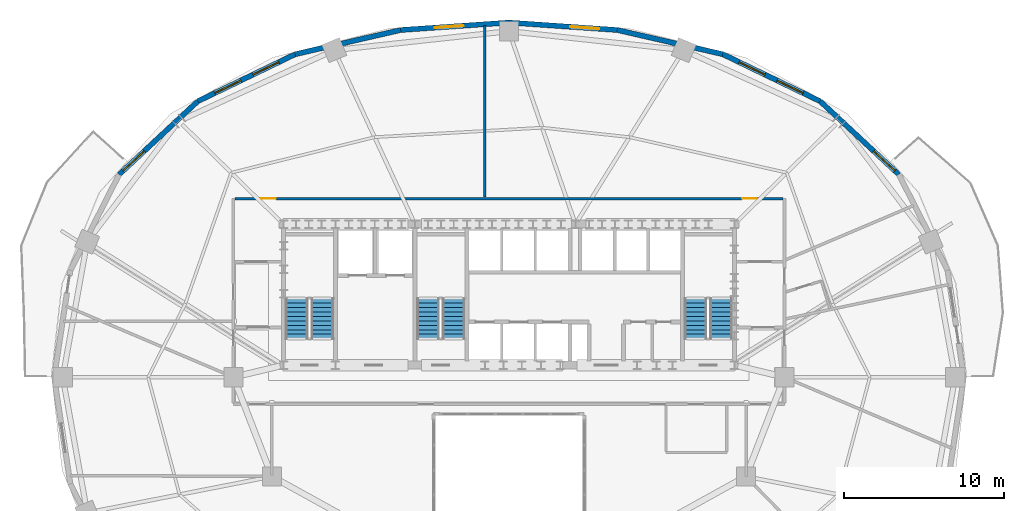
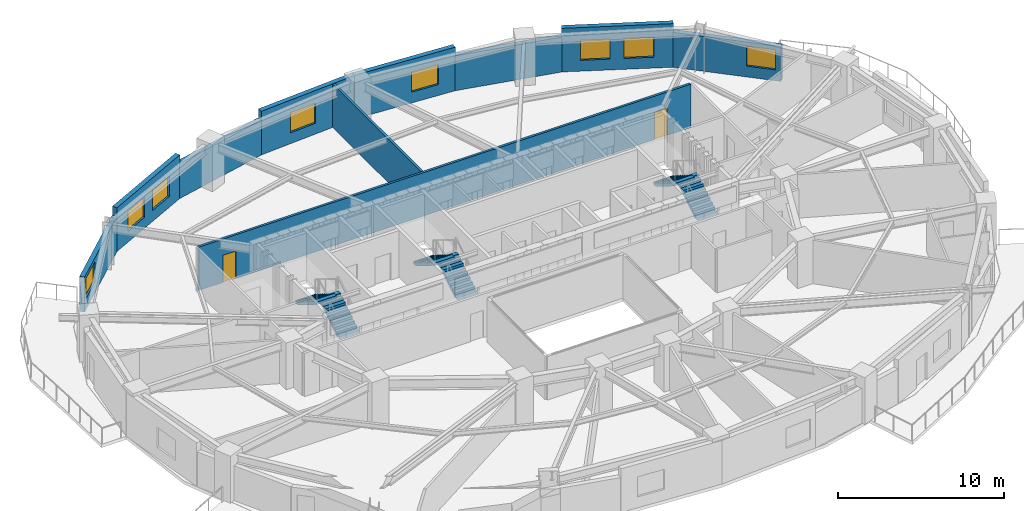
# One storey, part 9 of 12: 10 walls, 8 windows, 6 stair flights, 2 doors, 10 openings, 3 elements without a shape of their own.
"""IFC4 building model written with IfcOpenShell, lengths in metres."""

from ifc_helpers import new_model, si_unit, direction, frame, frame_2d, origin, place, context, subcontext, project, spatial, polyline, rectangle, outline, extrude, material, layer, layer_set, type_object, element, fill, aggregate, save


model = new_model("IFC4")

# Units and contexts
model_context = context("Model", 3, precision=1e-05, world=origin(), true_north=direction((0.0, 1.0)))
body_context = subcontext(model_context, "Body", "Model", "MODEL_VIEW")
ifc_project = project(units=[si_unit("LENGTHUNIT", "METRE"), si_unit("AREAUNIT", "SQUARE_METRE"), si_unit("VOLUMEUNIT", "CUBIC_METRE"), si_unit("PLANEANGLEUNIT", "RADIAN"), si_unit("MASSUNIT", "GRAM", prefix="KILO")], contexts=[model_context])

# Site, building, storey
site_placement = place(None, origin())
site = spatial("IfcSite", under=ifc_project, at=site_placement, CompositionType="ELEMENT")
building_placement = place(site_placement, origin())
building = spatial("IfcBuilding", under=site, at=building_placement, Name="Haldorwick Loom Tower", CompositionType="ELEMENT")
storey_placement = place(building_placement, frame((0.0, 0.0, 110.449951171875)))
storey = spatial("IfcBuildingStorey", under=building, at=storey_placement, Name="L29", CompositionType="ELEMENT", Elevation=110.449951171875)

# Wall, opening, window
ifc_material_1 = material(Name="Pressed Clay Face Brick and Insulated Masonry Backup Assembly", Category="masonry")
ifc_layer_1 = layer(ifc_material_1, 0.320068359375, Name="Pressed Clay Face Brick and Insulated Masonry Backup Assembly", Category="masonry")
ifc_layer_set_1 = layer_set([ifc_layer_1], Name="Pressed Clay Face Brick and Insulated Masonry Backup Assembly")
wall_type_1 = type_object("IfcWallType", Name="ARC-WL-EXT320", PredefinedType="STANDARD", material=ifc_layer_set_1)
wall_1_placement = place(storey_placement, frame((60.338623046875, 38.655517578125, 0.0), z_axis=(0.0, 0.0, 1.0), x_axis=(-0.732137360086, 0.681157020052, 0.0)))
wall_1 = element("IfcWall", 1, at=wall_1_placement, inside=storey, type_object=wall_type_1, Name="L29 Brick Pier and Spandrel Wall 3", PredefinedType="STANDARD", context=body_context, shape_type="SweptSolid", body=[
    extrude(rectangle(XDim=6.709228515625, YDim=0.320068359375, at=frame_2d((3.3544921875, 0.0))), origin(), (0.0, 0.0, 1.0), 2.569091796875),
])
opening_1_placement = place(wall_1_placement, frame((0.340087890625, 0.0, 0.800048828125)))
opening_1 = element("IfcOpeningElement", 2, at=opening_1_placement, cuts=wall_1, Name="Opening W-01", PredefinedType="OPENING", context=body_context, shape_type="SweptSolid", body=[
    extrude(rectangle(XDim=1.800048828125, YDim=1.47998046875, at=frame_2d((0.89990234375, 0.739990234375))), frame((0.0, 0.169921875, 0.0), z_axis=(0.0, -1.0, 0.0), x_axis=(1.0, 0.0, 0.0)), (0.0, 0.0, 1.0), 0.340087890625),
])
ifc_material_2 = material(Name="Triple-Glazed Low-E Argon Insulated Glazing Unit", Category="glass")
window_type = type_object("IfcWindowType", Name="ARC-WIN-W180", PartitioningType="SINGLE_PANEL", PredefinedType="WINDOW", material=ifc_material_2)
window_1_placement = place(opening_1_placement, origin())
window_1 = element("IfcWindow", 3, at=window_1_placement, inside=storey, type_object=window_type, Name="L29 Deep-Set Zone 7A Window 3", OverallHeight=1.47998046875, OverallWidth=1.800048828125, PartitioningType="SINGLE_PANEL", PredefinedType="WINDOW", context=body_context, shape_type="SweptSolid", body=[
    extrude(rectangle(XDim=1.800048828125, YDim=1.47998046875, at=frame_2d((0.89990234375, 0.739990234375))), frame((0.0, 0.030029296875, 0.0), z_axis=(0.0, -1.0, 0.0), x_axis=(1.0, 0.0, 0.0)), (0.0, 0.0, 1.0), 0.06005859375),
])
fill(opening_1, window_1)

# Wall, openings, windows
wall_2_placement = place(storey_placement, frame((55.426513671875, 43.2255859375, 0.0), z_axis=(0.0, 0.0, 1.0), x_axis=(-0.900510094661, 0.434835106004, 0.0)))
wall_2 = element("IfcWall", 4, at=wall_2_placement, inside=storey, type_object=wall_type_1, Name="L29 Brick Pier and Spandrel Wall 4", PredefinedType="STANDARD", context=body_context, shape_type="SweptSolid", body=[
    extrude(rectangle(XDim=6.744873046875, YDim=0.320068359375, at=frame_2d((3.37255859375, 0.0))), origin(), (0.0, 0.0, 1.0), 3.2099609375),
])
opening_2_placement = place(wall_2_placement, frame((1.180908203125, 0.0, 0.800048828125)))
opening_2 = element("IfcOpeningElement", 5, at=opening_2_placement, cuts=wall_2, Name="Opening W-01", PredefinedType="OPENING", context=body_context, shape_type="SweptSolid", body=[
    extrude(rectangle(XDim=1.800048828125, YDim=1.47998046875, at=frame_2d((0.89990234375, 0.739990234375))), frame((0.0, 0.169921875, 0.0), z_axis=(0.0, -1.0, 0.0), x_axis=(1.0, 0.0, 0.0)), (0.0, 0.0, 1.0), 0.340087890625),
])
opening_3_placement = place(wall_2_placement, frame((3.8212890625, 0.0, 0.800048828125)))
opening_3 = element("IfcOpeningElement", 6, at=opening_3_placement, cuts=wall_2, Name="Opening W-01", PredefinedType="OPENING", context=body_context, shape_type="SweptSolid", body=[
    extrude(rectangle(XDim=1.800048828125, YDim=1.47998046875, at=frame_2d((0.89990234375, 0.739990234375))), frame((0.0, 0.169921875, 0.0), z_axis=(0.0, -1.0, 0.0), x_axis=(1.0, 0.0, 0.0)), (0.0, 0.0, 1.0), 0.340087890625),
])
window_2_placement = place(opening_2_placement, origin())
window_2 = element("IfcWindow", 7, at=window_2_placement, inside=storey, type_object=window_type, Name="L29 Deep-Set Zone 7A Window 4", OverallHeight=1.47998046875, OverallWidth=1.800048828125, PartitioningType="SINGLE_PANEL", PredefinedType="WINDOW", context=body_context, shape_type="SweptSolid", body=[
    extrude(rectangle(XDim=1.800048828125, YDim=1.47998046875, at=frame_2d((0.89990234375, 0.739990234375))), frame((0.0, 0.030029296875, 0.0), z_axis=(0.0, -1.0, 0.0), x_axis=(1.0, 0.0, 0.0)), (0.0, 0.0, 1.0), 0.06005859375),
])
fill(opening_2, window_2)
window_3_placement = place(opening_3_placement, origin())
window_3 = element("IfcWindow", 8, at=window_3_placement, inside=storey, type_object=window_type, Name="L29 Deep-Set Zone 7A Window 4", OverallHeight=1.47998046875, OverallWidth=1.800048828125, PartitioningType="SINGLE_PANEL", PredefinedType="WINDOW", context=body_context, shape_type="SweptSolid", body=[
    extrude(rectangle(XDim=1.800048828125, YDim=1.47998046875, at=frame_2d((0.89990234375, 0.739990234375))), frame((0.0, 0.030029296875, 0.0), z_axis=(0.0, -1.0, 0.0), x_axis=(1.0, 0.0, 0.0)), (0.0, 0.0, 1.0), 0.06005859375),
])
fill(opening_3, window_3)

# Wall
wall_3_placement = place(storey_placement, frame((49.352783203125, 46.158447265625, 0.0), z_axis=(0.0, 0.0, 1.0), x_axis=(-0.974584177714, 0.224021607329, 0.0)))
element("IfcWall", 9, at=wall_3_placement, inside=storey, type_object=wall_type_1, Name="L29 Brick Pier and Spandrel Wall 5", PredefinedType="STANDARD", context=body_context, shape_type="SweptSolid", body=[
    extrude(rectangle(XDim=6.767822265625, YDim=0.320068359375, at=frame_2d((3.3837890625, 0.0))), origin(), (0.0, 0.0, 1.0), 2.569091796875),
])

# Wall, opening, window
wall_4_placement = place(storey_placement, frame((42.757080078125, 47.674560546875, 0.0), z_axis=(0.0, 0.0, 1.0), x_axis=(-0.997651949344, 0.068487867318, 0.0)))
wall_4 = element("IfcWall", 10, at=wall_4_placement, inside=storey, type_object=wall_type_1, Name="L29 Brick Pier and Spandrel Wall 6", PredefinedType="STANDARD", context=body_context, shape_type="SweptSolid", body=[
    extrude(rectangle(XDim=6.77294921875, YDim=0.320068359375, at=frame_2d((3.386474609375, 0.0))), origin(), (0.0, 0.0, 1.0), 3.2099609375),
])
opening_4_placement = place(wall_4_placement, frame((1.1318359375, 0.0, 0.800048828125)))
opening_4 = element("IfcOpeningElement", 11, at=opening_4_placement, cuts=wall_4, Name="Opening W-01", PredefinedType="OPENING", context=body_context, shape_type="SweptSolid", body=[
    extrude(rectangle(XDim=1.800048828125, YDim=1.47998046875, at=frame_2d((0.89990234375, 0.739990234375))), frame((0.0, 0.169921875, 0.0), z_axis=(0.0, -1.0, 0.0), x_axis=(1.0, 0.0, 0.0)), (0.0, 0.0, 1.0), 0.340087890625),
])
window_4_placement = place(opening_4_placement, origin())
window_4 = element("IfcWindow", 12, at=window_4_placement, inside=storey, type_object=window_type, Name="L29 Deep-Set Zone 7A Window 6", OverallHeight=1.47998046875, OverallWidth=1.800048828125, PartitioningType="SINGLE_PANEL", PredefinedType="WINDOW", context=body_context, shape_type="SweptSolid", body=[
    extrude(rectangle(XDim=1.800048828125, YDim=1.47998046875, at=frame_2d((0.89990234375, 0.739990234375))), frame((0.0, 0.030029296875, 0.0), z_axis=(0.0, -1.0, 0.0), x_axis=(1.0, 0.0, 0.0)), (0.0, 0.0, 1.0), 0.06005859375),
])
fill(opening_4, window_4)

wall_5_placement = place(storey_placement, frame((36.0, 48.138427734375, 0.0), z_axis=(0.0, 0.0, 1.0), x_axis=(-0.997651949344, -0.068487867318, 0.0)))
wall_5 = element("IfcWall", 13, at=wall_5_placement, inside=storey, type_object=wall_type_1, Name="L29 Brick Pier and Spandrel Wall 7", PredefinedType="STANDARD", context=body_context, shape_type="SweptSolid", body=[
    extrude(rectangle(XDim=6.77294921875, YDim=0.320068359375, at=frame_2d((3.386474609375, 0.0))), origin(), (0.0, 0.0, 1.0), 3.2099609375),
])
opening_5_placement = place(wall_5_placement, frame((2.84423828125, 0.0, 0.800048828125)))
opening_5 = element("IfcOpeningElement", 14, at=opening_5_placement, cuts=wall_5, Name="Opening W-01", PredefinedType="OPENING", context=body_context, shape_type="SweptSolid", body=[
    extrude(rectangle(XDim=1.800048828125, YDim=1.47998046875, at=frame_2d((0.89990234375, 0.739990234375))), frame((0.0, 0.169921875, 0.0), z_axis=(0.0, -1.0, 0.0), x_axis=(1.0, 0.0, 0.0)), (0.0, 0.0, 1.0), 0.340087890625),
])
window_5_placement = place(opening_5_placement, origin())
window_5 = element("IfcWindow", 15, at=window_5_placement, inside=storey, type_object=window_type, Name="L29 Deep-Set Zone 7A Window 7", OverallHeight=1.47998046875, OverallWidth=1.800048828125, PartitioningType="SINGLE_PANEL", PredefinedType="WINDOW", context=body_context, shape_type="SweptSolid", body=[
    extrude(rectangle(XDim=1.800048828125, YDim=1.47998046875, at=frame_2d((0.89990234375, 0.739990234375))), frame((0.0, 0.030029296875, 0.0), z_axis=(0.0, -1.0, 0.0), x_axis=(1.0, 0.0, 0.0)), (0.0, 0.0, 1.0), 0.06005859375),
])
fill(opening_5, window_5)

# Wall
wall_6_placement = place(storey_placement, frame((29.242919921875, 47.674560546875, 0.0), z_axis=(0.0, 0.0, 1.0), x_axis=(-0.974584177714, -0.224021607329, 0.0)))
element("IfcWall", 16, at=wall_6_placement, inside=storey, type_object=wall_type_1, Name="L29 Brick Pier and Spandrel Wall 8", PredefinedType="STANDARD", context=body_context, shape_type="SweptSolid", body=[
    extrude(rectangle(XDim=6.767822265625, YDim=0.320068359375, at=frame_2d((3.3837890625, 0.0))), origin(), (0.0, 0.0, 1.0), 2.569091796875),
])

# Wall, openings, windows
wall_7_placement = place(storey_placement, frame((22.647216796875, 46.158447265625, 0.0), z_axis=(0.0, 0.0, 1.0), x_axis=(-0.900510094661, -0.434835106004, 0.0)))
wall_7 = element("IfcWall", 17, at=wall_7_placement, inside=storey, type_object=wall_type_1, Name="L29 Brick Pier and Spandrel Wall 9", PredefinedType="STANDARD", context=body_context, shape_type="SweptSolid", body=[
    extrude(rectangle(XDim=6.744873046875, YDim=0.320068359375, at=frame_2d((3.37255859375, 0.0))), origin(), (0.0, 0.0, 1.0), 3.2099609375),
])
opening_6_placement = place(wall_7_placement, frame((1.123291015625, 0.0, 0.800048828125)))
opening_6 = element("IfcOpeningElement", 18, at=opening_6_placement, cuts=wall_7, Name="Opening W-01", PredefinedType="OPENING", context=body_context, shape_type="SweptSolid", body=[
    extrude(rectangle(XDim=1.800048828125, YDim=1.47998046875, at=frame_2d((0.89990234375, 0.739990234375))), frame((0.0, 0.169921875, 0.0), z_axis=(0.0, -1.0, 0.0), x_axis=(1.0, 0.0, 0.0)), (0.0, 0.0, 1.0), 0.340087890625),
])
opening_7_placement = place(wall_7_placement, frame((3.763916015625, 0.0, 0.800048828125)))
opening_7 = element("IfcOpeningElement", 19, at=opening_7_placement, cuts=wall_7, Name="Opening W-01", PredefinedType="OPENING", context=body_context, shape_type="SweptSolid", body=[
    extrude(rectangle(XDim=1.800048828125, YDim=1.47998046875, at=frame_2d((0.89990234375, 0.739990234375))), frame((0.0, 0.169921875, 0.0), z_axis=(0.0, -1.0, 0.0), x_axis=(1.0, 0.0, 0.0)), (0.0, 0.0, 1.0), 0.340087890625),
])
window_6_placement = place(opening_6_placement, origin())
window_6 = element("IfcWindow", 20, at=window_6_placement, inside=storey, type_object=window_type, Name="L29 Deep-Set Zone 7A Window 9", OverallHeight=1.47998046875, OverallWidth=1.800048828125, PartitioningType="SINGLE_PANEL", PredefinedType="WINDOW", context=body_context, shape_type="SweptSolid", body=[
    extrude(rectangle(XDim=1.800048828125, YDim=1.47998046875, at=frame_2d((0.89990234375, 0.739990234375))), frame((0.0, 0.030029296875, 0.0), z_axis=(0.0, -1.0, 0.0), x_axis=(1.0, 0.0, 0.0)), (0.0, 0.0, 1.0), 0.06005859375),
])
fill(opening_6, window_6)
window_7_placement = place(opening_7_placement, origin())
window_7 = element("IfcWindow", 21, at=window_7_placement, inside=storey, type_object=window_type, Name="L29 Deep-Set Zone 7A Window 9", OverallHeight=1.47998046875, OverallWidth=1.800048828125, PartitioningType="SINGLE_PANEL", PredefinedType="WINDOW", context=body_context, shape_type="SweptSolid", body=[
    extrude(rectangle(XDim=1.800048828125, YDim=1.47998046875, at=frame_2d((0.89990234375, 0.739990234375))), frame((0.0, 0.030029296875, 0.0), z_axis=(0.0, -1.0, 0.0), x_axis=(1.0, 0.0, 0.0)), (0.0, 0.0, 1.0), 0.06005859375),
])
fill(opening_7, window_7)

# Wall, opening, window
wall_8_placement = place(storey_placement, frame((16.573486328125, 43.2255859375, 0.0), z_axis=(0.0, 0.0, 1.0), x_axis=(-0.732137360086, -0.681157020052, 0.0)))
wall_8 = element("IfcWall", 22, at=wall_8_placement, inside=storey, type_object=wall_type_1, Name="L29 Brick Pier and Spandrel Wall 10", PredefinedType="STANDARD", context=body_context, shape_type="SweptSolid", body=[
    extrude(rectangle(XDim=6.709228515625, YDim=0.320068359375, at=frame_2d((3.3544921875, 0.0))), origin(), (0.0, 0.0, 1.0), 2.569091796875),
])
opening_8_placement = place(wall_8_placement, frame((4.569580078125, 0.0, 0.800048828125)))
opening_8 = element("IfcOpeningElement", 23, at=opening_8_placement, cuts=wall_8, Name="Opening W-01", PredefinedType="OPENING", context=body_context, shape_type="SweptSolid", body=[
    extrude(rectangle(XDim=1.800048828125, YDim=1.47998046875, at=frame_2d((0.89990234375, 0.739990234375))), frame((0.0, 0.169921875, 0.0), z_axis=(0.0, -1.0, 0.0), x_axis=(1.0, 0.0, 0.0)), (0.0, 0.0, 1.0), 0.340087890625),
])
window_8_placement = place(opening_8_placement, origin())
window_8 = element("IfcWindow", 24, at=window_8_placement, inside=storey, type_object=window_type, Name="L29 Deep-Set Zone 7A Window 10", OverallHeight=1.47998046875, OverallWidth=1.800048828125, PartitioningType="SINGLE_PANEL", PredefinedType="WINDOW", context=body_context, shape_type="SweptSolid", body=[
    extrude(rectangle(XDim=1.800048828125, YDim=1.47998046875, at=frame_2d((0.89990234375, 0.739990234375))), frame((0.0, 0.030029296875, 0.0), z_axis=(0.0, -1.0, 0.0), x_axis=(1.0, 0.0, 0.0)), (0.0, 0.0, 1.0), 0.06005859375),
])
fill(opening_8, window_8)

# Wall, openings, doors
ifc_material_3 = material(Name="Fire-Rated Type X Gypsum Stud Assembly EI 60")
ifc_layer_2 = layer(ifc_material_3, 0.159912109375, Name="Fire-Rated Type X Gypsum Stud Assembly EI 60")
ifc_layer_set_2 = layer_set([ifc_layer_2], Name="Fire-Rated Type X Gypsum Stud Assembly EI 60")
wall_type_2 = type_object("IfcWallType", Name="ARC-WL-FIRE160", PredefinedType="PARTITIONING", material=ifc_layer_set_2)
wall_9_placement = place(storey_placement, frame((18.883056640625, 37.14990234375, 0.0), z_axis=(0.0, 0.0, 1.0), x_axis=(1.0, 0.0, 0.0)))
wall_9 = element("IfcWall", 25, at=wall_9_placement, inside=storey, type_object=wall_type_2, Name="L29 Residential Fire Partition L29-CR-N0", PredefinedType="PARTITIONING", context=body_context, shape_type="SweptSolid", body=[
    extrude(rectangle(XDim=34.23388671875, YDim=0.159912109375, at=frame_2d((17.116943359375, 0.0))), origin(), (0.0, 0.0, 1.0), 3.195068359375),
])
opening_9_placement = place(wall_9_placement, frame((31.674560546875, 0.0, 0.0)))
opening_9 = element("IfcOpeningElement", 26, at=opening_9_placement, cuts=wall_9, Name="Opening D-FD60A", PredefinedType="OPENING", context=body_context, shape_type="SweptSolid", body=[
    extrude(rectangle(XDim=0.89990234375, YDim=2.0, at=frame_2d((0.449951171875, 1.0))), frame((0.0, 0.08984375, 0.0), z_axis=(0.0, -1.0, 0.0), x_axis=(1.0, 0.0, 0.0)), (0.0, 0.0, 1.0), 0.179931640625),
])
opening_10_placement = place(wall_9_placement, frame((1.659912109375, 0.0, 0.0)))
opening_10 = element("IfcOpeningElement", 27, at=opening_10_placement, cuts=wall_9, Name="Opening D-FD60A", PredefinedType="OPENING", context=body_context, shape_type="SweptSolid", body=[
    extrude(rectangle(XDim=0.89990234375, YDim=2.0, at=frame_2d((0.449951171875, 1.0))), frame((0.0, 0.08984375, 0.0), z_axis=(0.0, -1.0, 0.0), x_axis=(1.0, 0.0, 0.0)), (0.0, 0.0, 1.0), 0.179931640625),
])
ifc_material_4 = material(Name="Hollow Steel Fire Door Assembly", Category="steel")
door_type = type_object("IfcDoorType", Name="ARC-DR-FD60-90", OperationType="NOTDEFINED", PredefinedType="DOOR", material=ifc_material_4)
door_1_placement = place(opening_9_placement, frame((0.89990234375, 0.0, 0.0), z_axis=(0.0, 0.0, 1.0), x_axis=(-1.0, 0.0, 0.0)))
door_1 = element("IfcDoor", 28, at=door_1_placement, inside=storey, type_object=door_type, Name="L29 Tenant Seminar Meeting Room 9 to L29 North Residential Corridor Door", OperationType="SINGLE_SWING_RIGHT", OverallHeight=2.0, OverallWidth=0.89990234375, PredefinedType="DOOR", context=body_context, shape_type="SweptSolid", body=[
    extrude(rectangle(XDim=0.89990234375, YDim=2.0, at=frame_2d((0.449951171875, 1.0))), frame((0.0, 0.02490234375, 0.0), z_axis=(0.0, -1.0, 0.0), x_axis=(1.0, 0.0, 0.0)), (0.0, 0.0, 1.0), 0.050048828125),
])
fill(opening_9, door_1)
door_2_placement = place(opening_10_placement, frame((0.89990234375, 0.0, 0.0), z_axis=(0.0, 0.0, 1.0), x_axis=(-1.0, 0.0, 0.0)))
door_2 = element("IfcDoor", 29, at=door_2_placement, inside=storey, type_object=door_type, Name="L29 Tenant Seminar Meeting Room 6 to L29 North Residential Corridor Door", OperationType="SINGLE_SWING_LEFT", OverallHeight=2.0, OverallWidth=0.89990234375, PredefinedType="DOOR", context=body_context, shape_type="SweptSolid", body=[
    extrude(rectangle(XDim=0.89990234375, YDim=2.0, at=frame_2d((0.449951171875, 1.0))), frame((0.0, 0.02490234375, 0.0), z_axis=(0.0, -1.0, 0.0), x_axis=(1.0, 0.0, 0.0)), (0.0, 0.0, 1.0), 0.050048828125),
])
fill(opening_10, door_2)

# Wall
wall_10_placement = place(storey_placement, frame((34.5, 37.23291015625, 0.0), z_axis=(0.0, 0.0, 1.0), x_axis=(0.0, 1.0, 0.0)))
element("IfcWall", 30, at=wall_10_placement, inside=storey, type_object=wall_type_2, Name="L29 Residential Fire Partition L29-NBP-0", PredefinedType="PARTITIONING", context=body_context, shape_type="SweptSolid", body=[
    extrude(rectangle(XDim=10.7373046875, YDim=0.159912109375, at=frame_2d((5.36865234375, 0.0))), origin(), (0.0, 0.0, 1.0), 3.195068359375),
])

# Stair, stair flights
ifc_material_5 = material(Name="Concrete C40 (40 MPa)", Category="concrete")
stair_type = type_object("IfcStairType", Name="STR-STR-CORE", PredefinedType="HALF_TURN_STAIR", material=ifc_material_5)
stair_1_placement = place(storey_placement, origin())
stair_1 = element("IfcStair", 31, at=stair_1_placement, inside=storey, type_object=stair_type, Name="L29 Exit Stair ST-01", PredefinedType="HALF_TURN_STAIR")
stair_flight_type = type_object("IfcStairFlightType", Name="STR-STF-1250", PredefinedType="STRAIGHT", material=ifc_material_5)
stair_flight_1_placement = place(storey_placement, frame((24.35009765625, 28.39990234375, 0.0), z_axis=(0.0, 0.0, 1.0), x_axis=(0.0, 1.0, 0.0)))
stair_flight_1 = element("IfcStairFlight", 32, at=stair_flight_1_placement, type_object=stair_flight_type, Name="ST-01 flight 1", NumberOfRisers=10, NumberOfTreads=9, PredefinedType="STRAIGHT", RiserHeight=0.1725, TreadLength=0.28, context=body_context, shape_type="SweptSolid", body=[
    extrude(outline(polyline([(0.0, 0.0), (0.0, 0.172607421875), (0.280029296875, 0.172607421875), (0.280029296875, 0.344970703125), (0.56005859375, 0.344970703125), (0.56005859375, 0.517578125), (0.840087890625, 0.517578125), (0.840087890625, 0.68994140625), (1.1201171875, 0.68994140625), (1.1201171875, 0.862548828125), (1.39990234375, 0.862548828125), (1.39990234375, 1.034912109375), (1.679931640625, 1.034912109375), (1.679931640625, 1.20751953125), (1.9599609375, 1.20751953125), (1.9599609375, 1.3798828125), (2.239990234375, 1.3798828125), (2.239990234375, 1.552490234375), (2.52001953125, 1.552490234375), (2.52001953125, 1.72509765625), (2.52001953125, 1.37646484375), (0.285888671875, 0.0), (0.0, 0.0)])), frame((0.0, 0.699951171875, 0.0), z_axis=(0.0, -1.0, 0.0), x_axis=(1.0, 0.0, 0.0)), (0.0, 0.0, 1.0), 1.39990234375),
])
stair_flight_2_placement = place(storey_placement, frame((22.75, 30.919921875, 1.72509765625), z_axis=(0.0, 0.0, 1.0), x_axis=(0.0, -1.0, 0.0)))
stair_flight_2 = element("IfcStairFlight", 33, at=stair_flight_2_placement, type_object=stair_flight_type, Name="ST-01 flight 2", NumberOfRisers=10, NumberOfTreads=9, PredefinedType="STRAIGHT", RiserHeight=0.1725, TreadLength=0.28, context=body_context, shape_type="SweptSolid", body=[
    extrude(outline(polyline([(0.0, 0.0), (0.0, 0.172607421875), (0.280029296875, 0.172607421875), (0.280029296875, 0.344970703125), (0.56005859375, 0.344970703125), (0.56005859375, 0.517578125), (0.840087890625, 0.517578125), (0.840087890625, 0.68994140625), (1.1201171875, 0.68994140625), (1.1201171875, 0.862548828125), (1.39990234375, 0.862548828125), (1.39990234375, 1.034912109375), (1.679931640625, 1.034912109375), (1.679931640625, 1.20751953125), (1.9599609375, 1.20751953125), (1.9599609375, 1.3798828125), (2.239990234375, 1.3798828125), (2.239990234375, 1.552490234375), (2.52001953125, 1.552490234375), (2.52001953125, 1.72509765625), (2.52001953125, 1.37646484375), (0.285888671875, 0.0), (0.0, 0.0)])), frame((0.0, 0.699951171875, 0.0), z_axis=(0.0, -1.0, 0.0), x_axis=(1.0, 0.0, 0.0)), (0.0, 0.0, 1.0), 1.39990234375),
])
aggregate(stair_1, [stair_flight_1, stair_flight_2])

stair_2_placement = place(storey_placement, origin())
stair_2 = element("IfcStair", 34, at=stair_2_placement, inside=storey, type_object=stair_type, Name="L29 Exit Stair ST-02", PredefinedType="HALF_TURN_STAIR")
stair_flight_3_placement = place(storey_placement, frame((49.25, 28.39990234375, 0.0), z_axis=(0.0, 0.0, 1.0), x_axis=(0.0, 1.0, 0.0)))
stair_flight_3 = element("IfcStairFlight", 35, at=stair_flight_3_placement, type_object=stair_flight_type, Name="ST-02 flight 1", NumberOfRisers=10, NumberOfTreads=9, PredefinedType="STRAIGHT", RiserHeight=0.1725, TreadLength=0.28, context=body_context, shape_type="SweptSolid", body=[
    extrude(outline(polyline([(0.0, 0.0), (0.0, 0.172607421875), (0.280029296875, 0.172607421875), (0.280029296875, 0.344970703125), (0.56005859375, 0.344970703125), (0.56005859375, 0.517578125), (0.840087890625, 0.517578125), (0.840087890625, 0.68994140625), (1.1201171875, 0.68994140625), (1.1201171875, 0.862548828125), (1.39990234375, 0.862548828125), (1.39990234375, 1.034912109375), (1.679931640625, 1.034912109375), (1.679931640625, 1.20751953125), (1.9599609375, 1.20751953125), (1.9599609375, 1.3798828125), (2.239990234375, 1.3798828125), (2.239990234375, 1.552490234375), (2.52001953125, 1.552490234375), (2.52001953125, 1.72509765625), (2.52001953125, 1.37646484375), (0.285888671875, 0.0), (0.0, 0.0)])), frame((0.0, 0.699951171875, 0.0), z_axis=(0.0, -1.0, 0.0), x_axis=(1.0, 0.0, 0.0)), (0.0, 0.0, 1.0), 1.39990234375),
])
stair_flight_4_placement = place(storey_placement, frame((47.64990234375, 30.919921875, 1.72509765625), z_axis=(0.0, 0.0, 1.0), x_axis=(0.0, -1.0, 0.0)))
stair_flight_4 = element("IfcStairFlight", 36, at=stair_flight_4_placement, type_object=stair_flight_type, Name="ST-02 flight 2", NumberOfRisers=10, NumberOfTreads=9, PredefinedType="STRAIGHT", RiserHeight=0.1725, TreadLength=0.28, context=body_context, shape_type="SweptSolid", body=[
    extrude(outline(polyline([(0.0, 0.0), (0.0, 0.172607421875), (0.280029296875, 0.172607421875), (0.280029296875, 0.344970703125), (0.56005859375, 0.344970703125), (0.56005859375, 0.517578125), (0.840087890625, 0.517578125), (0.840087890625, 0.68994140625), (1.1201171875, 0.68994140625), (1.1201171875, 0.862548828125), (1.39990234375, 0.862548828125), (1.39990234375, 1.034912109375), (1.679931640625, 1.034912109375), (1.679931640625, 1.20751953125), (1.9599609375, 1.20751953125), (1.9599609375, 1.3798828125), (2.239990234375, 1.3798828125), (2.239990234375, 1.552490234375), (2.52001953125, 1.552490234375), (2.52001953125, 1.72509765625), (2.52001953125, 1.37646484375), (0.285888671875, 0.0), (0.0, 0.0)])), frame((0.0, 0.699951171875, 0.0), z_axis=(0.0, -1.0, 0.0), x_axis=(1.0, 0.0, 0.0)), (0.0, 0.0, 1.0), 1.39990234375),
])
aggregate(stair_2, [stair_flight_3, stair_flight_4])

stair_3_placement = place(storey_placement, origin())
stair_3 = element("IfcStair", 37, at=stair_3_placement, inside=storey, type_object=stair_type, Name="L29 Exit Stair ST-03", PredefinedType="HALF_TURN_STAIR")
stair_flight_5_placement = place(storey_placement, frame((32.550048828125, 28.39990234375, 0.0), z_axis=(0.0, 0.0, 1.0), x_axis=(0.0, 1.0, 0.0)))
stair_flight_5 = element("IfcStairFlight", 38, at=stair_flight_5_placement, type_object=stair_flight_type, Name="ST-03 flight 1", NumberOfRisers=10, NumberOfTreads=9, PredefinedType="STRAIGHT", RiserHeight=0.1725, TreadLength=0.28, context=body_context, shape_type="SweptSolid", body=[
    extrude(outline(polyline([(0.0, 0.0), (0.0, 0.172607421875), (0.280029296875, 0.172607421875), (0.280029296875, 0.344970703125), (0.56005859375, 0.344970703125), (0.56005859375, 0.517578125), (0.840087890625, 0.517578125), (0.840087890625, 0.68994140625), (1.1201171875, 0.68994140625), (1.1201171875, 0.862548828125), (1.39990234375, 0.862548828125), (1.39990234375, 1.034912109375), (1.679931640625, 1.034912109375), (1.679931640625, 1.20751953125), (1.9599609375, 1.20751953125), (1.9599609375, 1.3798828125), (2.239990234375, 1.3798828125), (2.239990234375, 1.552490234375), (2.52001953125, 1.552490234375), (2.52001953125, 1.72509765625), (2.52001953125, 1.37646484375), (0.285888671875, 0.0), (0.0, 0.0)])), frame((0.0, 0.699951171875, 0.0), z_axis=(0.0, -1.0, 0.0), x_axis=(1.0, 0.0, 0.0)), (0.0, 0.0, 1.0), 1.39990234375),
])
stair_flight_6_placement = place(storey_placement, frame((30.949951171875, 30.919921875, 1.72509765625), z_axis=(0.0, 0.0, 1.0), x_axis=(0.0, -1.0, 0.0)))
stair_flight_6 = element("IfcStairFlight", 39, at=stair_flight_6_placement, type_object=stair_flight_type, Name="ST-03 flight 2", NumberOfRisers=10, NumberOfTreads=9, PredefinedType="STRAIGHT", RiserHeight=0.1725, TreadLength=0.28, context=body_context, shape_type="SweptSolid", body=[
    extrude(outline(polyline([(0.0, 0.0), (0.0, 0.172607421875), (0.280029296875, 0.172607421875), (0.280029296875, 0.344970703125), (0.56005859375, 0.344970703125), (0.56005859375, 0.517578125), (0.840087890625, 0.517578125), (0.840087890625, 0.68994140625), (1.1201171875, 0.68994140625), (1.1201171875, 0.862548828125), (1.39990234375, 0.862548828125), (1.39990234375, 1.034912109375), (1.679931640625, 1.034912109375), (1.679931640625, 1.20751953125), (1.9599609375, 1.20751953125), (1.9599609375, 1.3798828125), (2.239990234375, 1.3798828125), (2.239990234375, 1.552490234375), (2.52001953125, 1.552490234375), (2.52001953125, 1.72509765625), (2.52001953125, 1.37646484375), (0.285888671875, 0.0), (0.0, 0.0)])), frame((0.0, 0.699951171875, 0.0), z_axis=(0.0, -1.0, 0.0), x_axis=(1.0, 0.0, 0.0)), (0.0, 0.0, 1.0), 1.39990234375),
])
aggregate(stair_3, [stair_flight_5, stair_flight_6])

save(model, "model.ifc")
